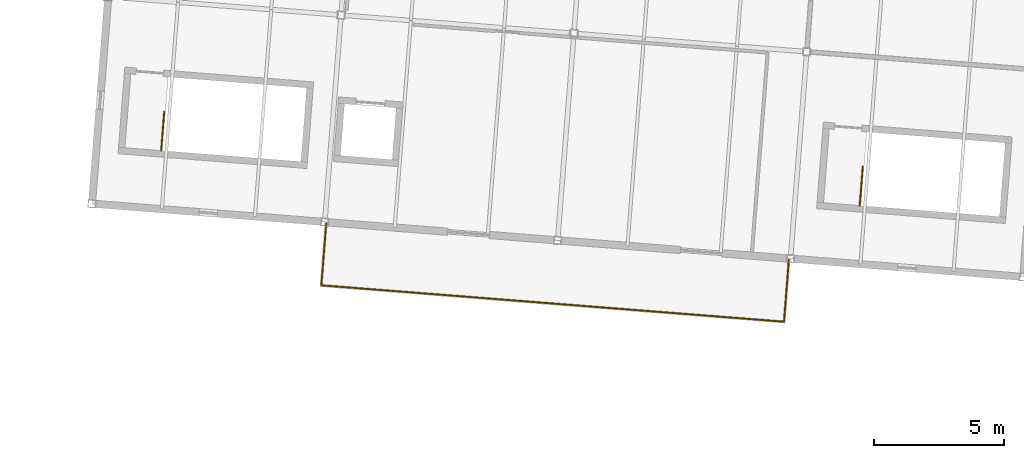
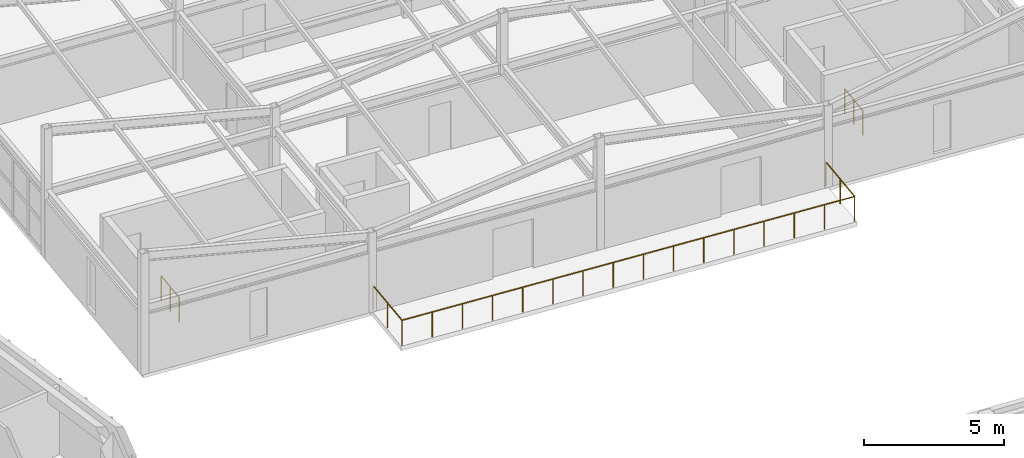
# One storey, part 114 of 127: 3 railings.
"""IFC4 building model written with IfcOpenShell, lengths in metres."""

from ifc_helpers import new_model, si_unit, direction, frame, origin, origin_2d, place, context, subcontext, project, spatial, circle, extrude, material, type_object, element, save


model = new_model("IFC4")

# Units and contexts
model_context = context("Model", 3, precision=1e-05, world=origin(), true_north=direction((0.0, 1.0)))
body_context = subcontext(model_context, "Body", "Model", "MODEL_VIEW")
ifc_project = project(units=[si_unit("LENGTHUNIT", "METRE"), si_unit("AREAUNIT", "SQUARE_METRE"), si_unit("VOLUMEUNIT", "CUBIC_METRE"), si_unit("PLANEANGLEUNIT", "RADIAN"), si_unit("MASSUNIT", "GRAM", prefix="KILO")], contexts=[model_context])

# Site, building, storey
site_placement = place(None, origin())
site = spatial("IfcSite", under=ifc_project, at=site_placement, CompositionType="ELEMENT")
building_placement = place(site_placement, origin())
building = spatial("IfcBuilding", under=site, at=building_placement, Name="Kestramere Prow Commons", CompositionType="ELEMENT")
storey_placement = place(building_placement, frame((0.0, 0.0, 8.39990234375)))
storey = spatial("IfcBuildingStorey", under=building, at=storey_placement, Name="L02", CompositionType="ELEMENT", Elevation=8.39990234375)

# Railings
ifc_material_1 = material(Name="Powder-Coated Aluminium 6063-T6", Category="aluminium")
railing_type_1 = type_object("IfcRailingType", Name="GRD-BALC-1100", PredefinedType="BALUSTRADE", material=ifc_material_1)
railing_placement = place(storey_placement, frame((77.628173828125, 84.7392578125, 0.0)))
element("IfcRailing", 1, at=railing_placement, inside=storey, type_object=railing_type_1, Name="Nursery L02 Outdoor Terrace Guardrail", PredefinedType="BALUSTRADE", context=body_context, shape_type="SweptSolid", body=[
    extrude(circle(Radius=0.02392578125, at=origin_2d()), frame((0.0, 0.0, 1.076171875), z_axis=(-0.078454023861, -0.996917732885, 0.0), x_axis=(0.996917732885, -0.078454023861, 0.0)), (0.0, 0.0, 1.0), 2.389892578125),
    extrude(circle(Radius=0.02392578125, at=origin_2d()), frame((-0.1875, -2.382568359375, 1.076171875), z_axis=(0.996917430191, -0.0784578701, 0.0), x_axis=(0.0784578701, 0.996917430191, 0.0)), (0.0, 0.0, 1.0), 17.880126953125),
    extrude(circle(Radius=0.02392578125, at=origin_2d()), frame((17.637451171875, -3.785400390625, 1.076171875), z_axis=(0.078454023861, 0.996917732885, 0.0), x_axis=(-0.996917732885, 0.078454023861, 0.0)), (0.0, 0.0, 1.0), 2.389892578125),
    extrude(circle(Radius=0.02099609375, at=origin_2d()), origin(), (0.0, 0.0, 1.0), 1.052001953125),
    extrude(circle(Radius=0.02099609375, at=origin_2d()), frame((-0.09375, -1.19140625, 0.0)), (0.0, 0.0, 1.0), 1.052001953125),
    extrude(circle(Radius=0.02099609375, at=origin_2d()), frame((-0.1875, -2.382568359375, 0.0)), (0.0, 0.0, 1.0), 1.052001953125),
    extrude(circle(Radius=0.02099609375, at=origin_2d()), frame((1.000732421875, -2.47607421875, 0.0)), (0.0, 0.0, 1.0), 1.052001953125),
    extrude(circle(Radius=0.02099609375, at=origin_2d()), frame((2.189208984375, -2.569580078125, 0.0)), (0.0, 0.0, 1.0), 1.052001953125),
    extrude(circle(Radius=0.02099609375, at=origin_2d()), frame((3.37744140625, -2.6630859375, 0.0)), (0.0, 0.0, 1.0), 1.052001953125),
    extrude(circle(Radius=0.02099609375, at=origin_2d()), frame((4.56591796875, -2.756591796875, 0.0)), (0.0, 0.0, 1.0), 1.052001953125),
    extrude(circle(Radius=0.02099609375, at=origin_2d()), frame((5.754150390625, -2.85009765625, 0.0)), (0.0, 0.0, 1.0), 1.052001953125),
    extrude(circle(Radius=0.02099609375, at=origin_2d()), frame((6.9423828125, -2.943603515625, 0.0)), (0.0, 0.0, 1.0), 1.052001953125),
    extrude(circle(Radius=0.02099609375, at=origin_2d()), frame((8.130859375, -3.037109375, 0.0)), (0.0, 0.0, 1.0), 1.052001953125),
    extrude(circle(Radius=0.02099609375, at=origin_2d()), frame((9.319091796875, -3.130859375, 0.0)), (0.0, 0.0, 1.0), 1.052001953125),
    extrude(circle(Radius=0.02099609375, at=origin_2d()), frame((10.507568359375, -3.224365234375, 0.0)), (0.0, 0.0, 1.0), 1.052001953125),
    extrude(circle(Radius=0.02099609375, at=origin_2d()), frame((11.69580078125, -3.31787109375, 0.0)), (0.0, 0.0, 1.0), 1.052001953125),
    extrude(circle(Radius=0.02099609375, at=origin_2d()), frame((12.884033203125, -3.411376953125, 0.0)), (0.0, 0.0, 1.0), 1.052001953125),
    extrude(circle(Radius=0.02099609375, at=origin_2d()), frame((14.072509765625, -3.5048828125, 0.0)), (0.0, 0.0, 1.0), 1.052001953125),
    extrude(circle(Radius=0.02099609375, at=origin_2d()), frame((15.2607421875, -3.598388671875, 0.0)), (0.0, 0.0, 1.0), 1.052001953125),
    extrude(circle(Radius=0.02099609375, at=origin_2d()), frame((16.44921875, -3.69189453125, 0.0)), (0.0, 0.0, 1.0), 1.052001953125),
    extrude(circle(Radius=0.02099609375, at=origin_2d()), frame((17.637451171875, -3.785400390625, 0.0)), (0.0, 0.0, 1.0), 1.052001953125),
    extrude(circle(Radius=0.02099609375, at=origin_2d()), frame((17.731201171875, -2.59423828125, 0.0)), (0.0, 0.0, 1.0), 1.052001953125),
    extrude(circle(Radius=0.02099609375, at=origin_2d()), frame((17.824951171875, -1.40283203125, 0.0)), (0.0, 0.0, 1.0), 1.052001953125),
])
ifc_material_2 = material(Name="Galvanised Steel S275JR", Category="steel")
railing_type_2 = type_object("IfcRailingType", Name="RL-ST-GR-1100", PredefinedType="GUARDRAIL", material=ifc_material_2)
for number, where, name in (
    (2, (71.268798828125, 87.546875, 0.0), "L02 ST-N1 top well guard 1"),
    (3, (98.185546875, 85.428466796875, 0.0), "L02 ST-N2 top well guard 1"),
):
    element("IfcRailing", number, at=place(storey_placement, frame(where)), inside=storey, type_object=railing_type_2, Name=name, PredefinedType="GUARDRAIL", context=body_context, shape_type="SweptSolid", body=[
        extrude(circle(Radius=0.02392578125, at=origin_2d()), frame((0.0, 0.0, 1.076171875), z_axis=(0.078451338629, 0.9969179442, 0.0), x_axis=(-0.9969179442, 0.078451338629, 0.0)), (0.0, 0.0, 1.0), 1.5),
        extrude(circle(Radius=0.02099609375, at=origin_2d()), origin(), (0.0, 0.0, 1.0), 1.052001953125),
        extrude(circle(Radius=0.02099609375, at=origin_2d()), frame((0.058837890625, 0.74755859375, 0.0)), (0.0, 0.0, 1.0), 1.052001953125),
        extrude(circle(Radius=0.02099609375, at=origin_2d()), frame((0.11767578125, 1.495361328125, 0.0)), (0.0, 0.0, 1.0), 1.052001953125),
    ])

save(model, "model.ifc")
